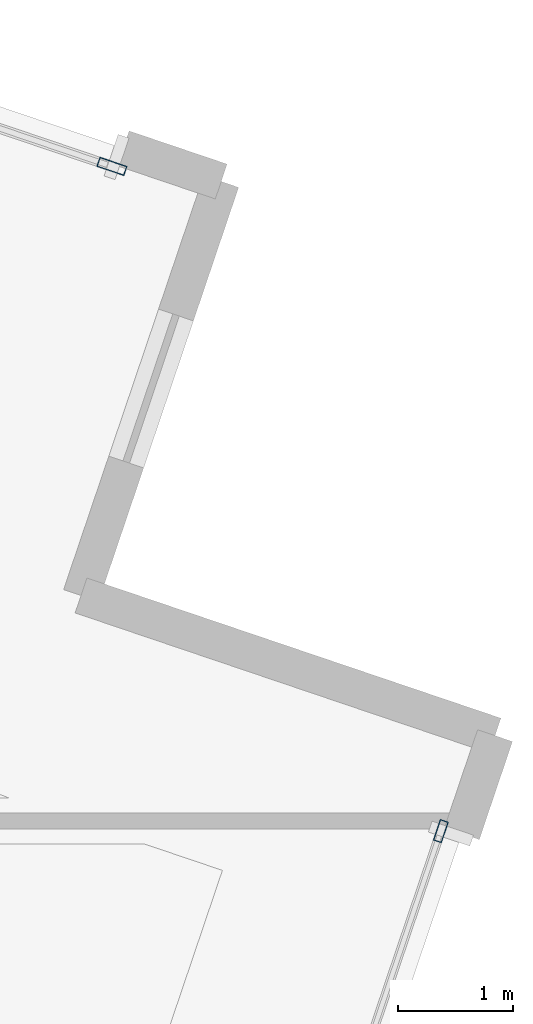
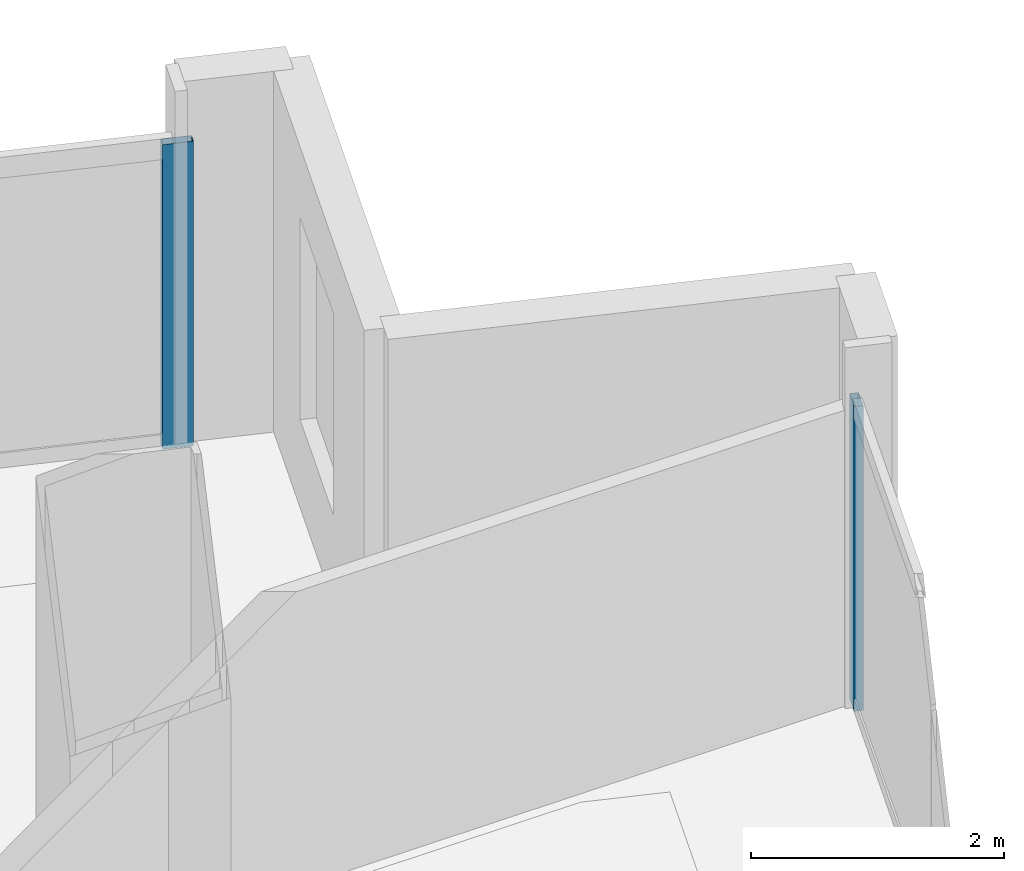
# One storey, part 18 of 29: 2 members, 2 elements without a shape of their own.
"""IFC4 building model written with IfcOpenShell, lengths in metres."""

from ifc_helpers import new_model, si_unit, direction, frame, origin, origin_2d, place, context, subcontext, project, spatial, hollow_rectangle, extrude, material, material_profile, profile_set, type_object, element, aggregate, save


model = new_model("IFC4")

# Units and contexts
model_context = context("Model", 3, precision=1e-05, world=origin(), true_north=direction((0.0, 1.0)))
body_context = subcontext(model_context, "Body", "Model", "MODEL_VIEW")
ifc_project = project(units=[si_unit("LENGTHUNIT", "METRE"), si_unit("AREAUNIT", "SQUARE_METRE"), si_unit("VOLUMEUNIT", "CUBIC_METRE"), si_unit("PLANEANGLEUNIT", "RADIAN"), si_unit("MASSUNIT", "GRAM", prefix="KILO")], contexts=[model_context])

# Site, building, storey
site_placement = place(None, origin())
site = spatial("IfcSite", under=ifc_project, at=site_placement, CompositionType="ELEMENT")
building_placement = place(site_placement, origin())
building = spatial("IfcBuilding", under=site, at=building_placement, Name="Haldenkirk Collegiate Tower", CompositionType="ELEMENT")
storey_placement = place(building_placement, frame((0.0, 0.0, 267.449951171875)))
storey = spatial("IfcBuildingStorey", under=building, at=storey_placement, Name="L67", CompositionType="ELEMENT", Elevation=267.449951171875)

# Curtain wall, member
ifc_material = material(Name="Anodised architectural bronze aluminium", Category="aluminium")
curtain_wall_type_1 = type_object("IfcCurtainWallType", Name="CW-SYS2-CONCAVE", PredefinedType="USERDEFINED", material=ifc_material)
curtain_wall_1_placement = place(storey_placement, origin())
curtain_wall_1 = element("IfcCurtainWall", 1, at=curtain_wall_1_placement, inside=storey, type_object=curtain_wall_type_1, Name="L67 South concave recessed bronze-anodised curtain wall", ObjectType="UNITISED CURTAIN WALL", PredefinedType="USERDEFINED")
ifc_material_profile_1 = material_profile(ifc_material, hollow_rectangle(XDim=0.074951171875, YDim=0.18994140625, WallThickness=0.0048828125, at=origin_2d()), Name="CW-MUL-02")
ifc_profile_set_1 = profile_set([ifc_material_profile_1], Name="Anodised architectural bronze aluminium")
member_type_1 = type_object("IfcMemberType", Name="CW-MUL-02", PredefinedType="MULLION", material=ifc_profile_set_1)
member_1_placement = place(storey_placement, frame((63.598876953125, 36.36083984375, 0.0), z_axis=(0.0, 0.0, 1.0), x_axis=(0.947210310666, -0.320612893328, 0.0)))
member_1 = element("IfcMember", 2, at=member_1_placement, type_object=member_type_1, Name="CW-02 mullion 1", PredefinedType="MULLION", context=body_context, shape_type="SweptSolid", body=[
    extrude(hollow_rectangle(XDim=0.074951171875, YDim=0.18994140625, WallThickness=0.0048828125, at=origin_2d()), origin(), (0.0, 0.0, 1.0), 2.93798828125),
])
aggregate(curtain_wall_1, [member_1])

curtain_wall_type_2 = type_object("IfcCurtainWallType", Name="CW-SYS1B-CONVEX-HI", PredefinedType="USERDEFINED", material=ifc_material)
curtain_wall_2_placement = place(storey_placement, origin())
curtain_wall_2 = element("IfcCurtainWall", 3, at=curtain_wall_2_placement, inside=storey, type_object=curtain_wall_type_2, Name="L67 Upper tower high-wind convex bronze unitised curtain wall", ObjectType="UNITISED CURTAIN WALL", PredefinedType="USERDEFINED")
ifc_material_profile_2 = material_profile(ifc_material, hollow_rectangle(XDim=0.0849609375, YDim=0.25, WallThickness=0.0048828125, at=origin_2d()), Name="CW-MUL-1B")
ifc_profile_set_2 = profile_set([ifc_material_profile_2], Name="Anodised architectural bronze aluminium")
member_type_2 = type_object("IfcMemberType", Name="CW-MUL-1B", PredefinedType="MULLION", material=ifc_profile_set_2)
member_2_placement = place(storey_placement, frame((60.73828125, 42.140625, 0.0), z_axis=(0.0, 0.0, 1.0), x_axis=(0.320613585306, 0.947210076444, 0.0)))
member_2 = element("IfcMember", 4, at=member_2_placement, type_object=member_type_2, Name="CW-1B mullion 4", PredefinedType="MULLION", context=body_context, shape_type="SweptSolid", body=[
    extrude(hollow_rectangle(XDim=0.0849609375, YDim=0.25, WallThickness=0.0048828125, at=origin_2d()), origin(), (0.0, 0.0, 1.0), 2.93798828125),
])
aggregate(curtain_wall_2, [member_2])

save(model, "model.ifc")
